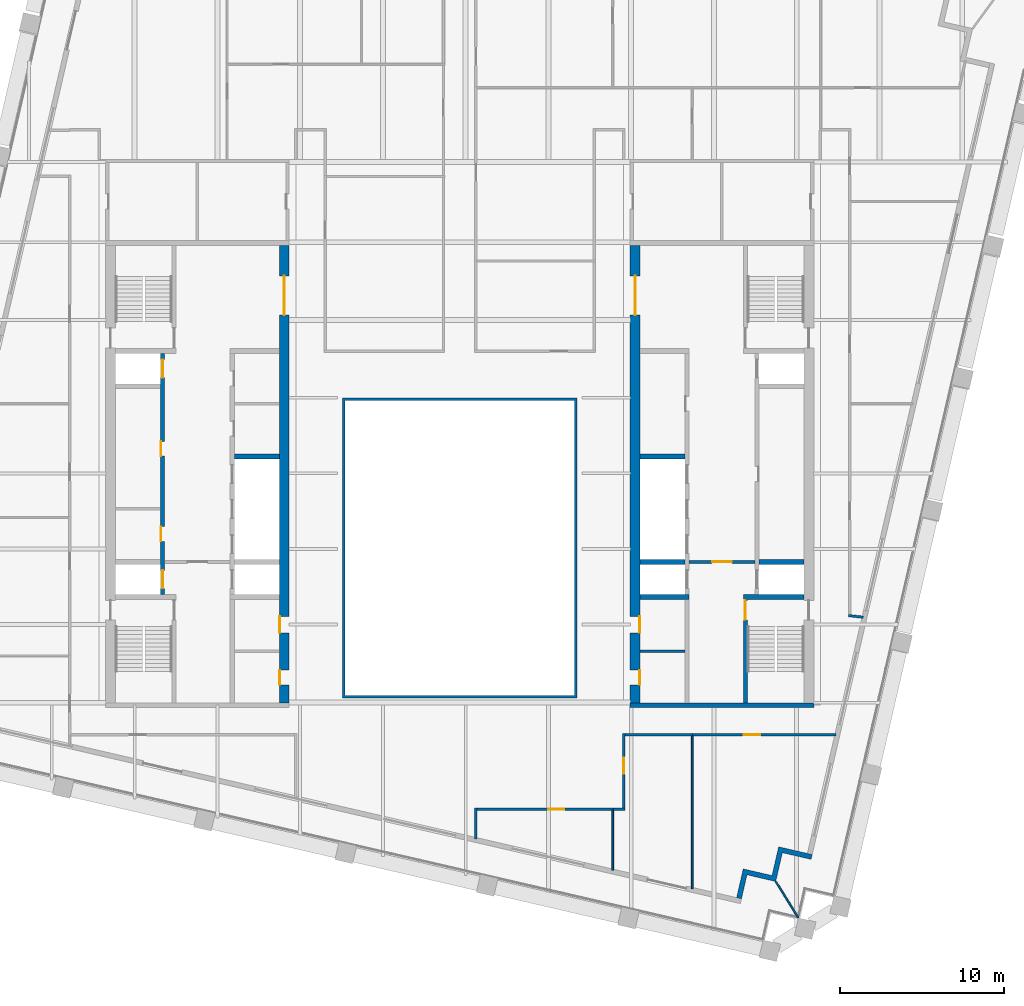
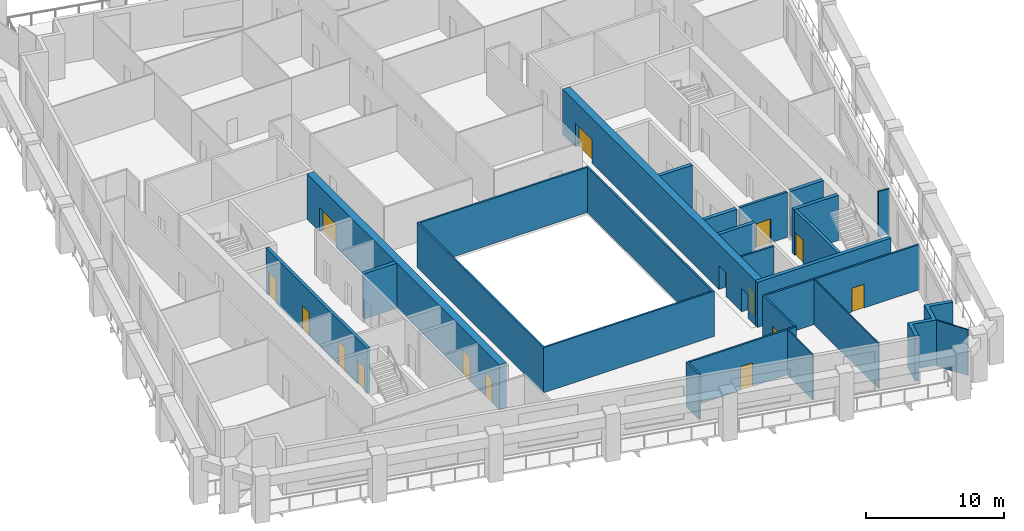
# One storey, part 5 of 10: 25 walls, 15 doors, 15 openings.
"""IFC4 building model written with IfcOpenShell, lengths in metres."""

from ifc_helpers import new_model, si_unit, direction, frame, frame_2d, origin, place, context, subcontext, project, spatial, polyline, rectangle, outline, extrude, material, layer, layer_set, type_object, element, fill, save


model = new_model("IFC4")

# Units and contexts
model_context = context("Model", 3, precision=1e-05, world=origin(), true_north=direction((0.0, 1.0)))
body_context = subcontext(model_context, "Body", "Model", "MODEL_VIEW")
ifc_project = project(units=[si_unit("LENGTHUNIT", "METRE"), si_unit("AREAUNIT", "SQUARE_METRE"), si_unit("VOLUMEUNIT", "CUBIC_METRE"), si_unit("PLANEANGLEUNIT", "RADIAN"), si_unit("MASSUNIT", "GRAM", prefix="KILO")], contexts=[model_context])

# Site, building, storey
site_placement = place(None, origin())
site = spatial("IfcSite", under=ifc_project, at=site_placement, CompositionType="ELEMENT")
building_placement = place(site_placement, origin())
building = spatial("IfcBuilding", under=site, at=building_placement, Name="Ogive Exchange Tower", CompositionType="ELEMENT")
storey_placement = place(building_placement, frame((0.0, 0.0, 272.39990234375)))
storey = spatial("IfcBuildingStorey", under=building, at=storey_placement, Name="L59", CompositionType="ELEMENT", Elevation=272.39990234375)

# Walls
ifc_material_1 = material(Name="Gypsum board partition")
ifc_layer_1 = layer(ifc_material_1, 0.14990234375)
ifc_layer_set_1 = layer_set([ifc_layer_1], Name="Core room partition 150 gypsum")
wall_type_1 = type_object("IfcWallType", Name="Core room partition 150 gypsum", PredefinedType="PARTITIONING", material=ifc_layer_set_1)
wall_1_placement = place(storey_placement, frame((11.0, 0.699951171875, 0.0), z_axis=(0.0, 0.0, 1.0), x_axis=(1.0, 0.0, 0.0)))
element("IfcWall", 1, at=wall_1_placement, inside=storey, type_object=wall_type_1, Name="E south room partition", PredefinedType="PARTITIONING", context=body_context, shape_type="SweptSolid", body=[
    extrude(rectangle(XDim=2.75, YDim=0.14990234375, at=frame_2d((1.375, 0.0))), origin(), (0.0, 0.0, 1.0), 4.0),
])
ifc_material_2 = material(Name="Fire partition EI 60 150")
ifc_layer_2 = layer(ifc_material_2, 0.14990234375)
ifc_layer_set_2 = layer_set([ifc_layer_2], Name="Fire partition EI 60 150")
wall_type_2 = type_object("IfcWallType", Name="Fire partition EI 60 150", PredefinedType="PARTITIONING", material=ifc_layer_set_2)
wall_2_placement = place(storey_placement, frame((0.989990234375, -8.864990234375, 0.0), z_axis=(0.0, 0.0, 1.0), x_axis=(0.0, -1.0, 0.0)))
element("IfcWall", 2, at=wall_2_placement, inside=storey, type_object=wall_type_2, Name="L59-PWL-035", PredefinedType="PARTITIONING", context=body_context, shape_type="SweptSolid", body=[
    extrude(rectangle(XDim=1.887939453125, YDim=0.14990234375, at=frame_2d((0.94384765625, 0.0))), origin(), (0.0, 0.0, 1.0), 4.0),
])

# Wall, opening, door
wall_3_placement = place(storey_placement, frame((9.389892578125, -8.93994140625, 0.0), z_axis=(0.0, 0.0, 1.0), x_axis=(-1.0, 0.0, 0.0)))
wall_3 = element("IfcWall", 3, at=wall_3_placement, inside=storey, type_object=wall_type_2, Name="L59-PWL-045", PredefinedType="PARTITIONING", context=body_context, shape_type="SweptSolid", body=[
    extrude(rectangle(XDim=8.324951171875, YDim=0.14990234375, at=frame_2d((4.16259765625, 0.0))), origin(), (0.0, 0.0, 1.0), 4.0),
])
opening_1_placement = place(wall_3_placement, frame((3.0, 0.0, 0.0)))
opening_1 = element("IfcOpeningElement", 4, at=opening_1_placement, cuts=wall_3, Name="Opening L59-I07", PredefinedType="OPENING", context=body_context, shape_type="SweptSolid", body=[
    extrude(rectangle(XDim=1.0, YDim=2.10009765625, at=frame_2d((0.5, 1.050048828125))), frame((0.0, 0.0849609375, 0.0), z_axis=(0.0, -1.0, 0.0), x_axis=(1.0, 0.0, 0.0)), (0.0, 0.0, 1.0), 0.169921875),
])
ifc_material_3 = material(Name="Fire door FD 30S 1000 x 2100")
door_type_1 = type_object("IfcDoorType", Name="Fire door FD 30S 1000 x 2100", OperationType="NOTDEFINED", PredefinedType="DOOR", material=ifc_material_3)
door_1_placement = place(opening_1_placement, origin())
door_1 = element("IfcDoor", 5, at=door_1_placement, inside=storey, type_object=door_type_1, Name="L59-IDR-007", ObjectType="DT3", OperationType="SINGLE_SWING_RIGHT", OverallHeight=2.10009765625, OverallWidth=1.0, PredefinedType="DOOR", context=body_context, shape_type="SweptSolid", body=[
    extrude(rectangle(XDim=1.0, YDim=2.10009765625, at=frame_2d((0.5, 1.050048828125))), frame((0.0, 0.02490234375, 0.0), z_axis=(0.0, -1.0, 0.0), x_axis=(1.0, 0.0, 0.0)), (0.0, 0.0, 1.0), 0.050048828125),
])
fill(opening_1, door_1)

# Wall
wall_4_placement = place(storey_placement, frame((10.074951171875, -8.93994140625, 0.0), z_axis=(0.0, 0.0, 1.0), x_axis=(-1.0, 0.0, 0.0)))
element("IfcWall", 6, at=wall_4_placement, inside=storey, type_object=wall_type_2, Name="L59-PWL-051", PredefinedType="PARTITIONING", context=body_context, shape_type="SweptSolid", body=[
    extrude(rectangle(XDim=0.68505859375, YDim=0.14990234375, at=frame_2d((0.342529296875, 0.0))), origin(), (0.0, 0.0, 1.0), 4.0),
])

# Wall, opening, door
wall_5_placement = place(storey_placement, frame((10.0, -4.324951171875, 0.0), z_axis=(0.0, 0.0, 1.0), x_axis=(0.0, -1.0, 0.0)))
wall_5 = element("IfcWall", 7, at=wall_5_placement, inside=storey, type_object=wall_type_2, Name="L59-PWL-052", PredefinedType="PARTITIONING", context=body_context, shape_type="SweptSolid", body=[
    extrude(rectangle(XDim=4.5400390625, YDim=0.14990234375, at=frame_2d((2.27001953125, 0.0))), origin(), (0.0, 0.0, 1.0), 4.0),
])
opening_2_placement = place(wall_5_placement, frame((1.465087890625, 0.0, 0.0)))
opening_2 = element("IfcOpeningElement", 8, at=opening_2_placement, cuts=wall_5, Name="Opening L59-I08", PredefinedType="OPENING", context=body_context, shape_type="SweptSolid", body=[
    extrude(rectangle(XDim=1.0, YDim=2.10009765625, at=frame_2d((0.5, 1.050048828125))), frame((0.0, 0.0849609375, 0.0), z_axis=(0.0, -1.0, 0.0), x_axis=(1.0, 0.0, 0.0)), (0.0, 0.0, 1.0), 0.169921875),
])
door_2_placement = place(opening_2_placement, origin())
door_2 = element("IfcDoor", 9, at=door_2_placement, inside=storey, type_object=door_type_1, Name="L59-IDR-008", ObjectType="DT3", OperationType="SINGLE_SWING_RIGHT", OverallHeight=2.10009765625, OverallWidth=1.0, PredefinedType="DOOR", context=body_context, shape_type="SweptSolid", body=[
    extrude(rectangle(XDim=1.0, YDim=2.10009765625, at=frame_2d((0.5, 1.050048828125))), frame((0.0, 0.02490234375, 0.0), z_axis=(0.0, -1.0, 0.0), x_axis=(1.0, 0.0, 0.0)), (0.0, 0.0, 1.0), 0.050048828125),
])
fill(opening_2, door_2)

# Wall
wall_6_placement = place(storey_placement, frame((14.18994140625, -4.39990234375, 0.0), z_axis=(0.0, 0.0, 1.0), x_axis=(-1.0, 0.0, 0.0)))
element("IfcWall", 10, at=wall_6_placement, inside=storey, type_object=wall_type_2, Name="L59-PWL-054", PredefinedType="PARTITIONING", context=body_context, shape_type="SweptSolid", body=[
    extrude(rectangle(XDim=4.114990234375, YDim=0.14990234375, at=frame_2d((2.0576171875, 0.0))), origin(), (0.0, 0.0, 1.0), 4.0),
])

# Wall, opening, door
wall_7_placement = place(storey_placement, frame((22.968017578125, -4.39990234375, 0.0), z_axis=(0.0, 0.0, 1.0), x_axis=(-1.0, 0.0, 0.0)))
wall_7 = element("IfcWall", 11, at=wall_7_placement, inside=storey, type_object=wall_type_2, Name="L59-PWL-064", PredefinedType="PARTITIONING", context=body_context, shape_type="SweptSolid", body=[
    extrude(rectangle(XDim=8.778076171875, YDim=0.14990234375, at=frame_2d((4.38916015625, 0.0))), origin(), (0.0, 0.0, 1.0), 4.0),
])
opening_3_placement = place(wall_7_placement, frame((4.6279296875, 0.0, 0.0)))
opening_3 = element("IfcOpeningElement", 12, at=opening_3_placement, cuts=wall_7, Name="Opening L59-I09", PredefinedType="OPENING", context=body_context, shape_type="SweptSolid", body=[
    extrude(rectangle(XDim=1.0, YDim=2.10009765625, at=frame_2d((0.5, 1.050048828125))), frame((0.0, 0.0849609375, 0.0), z_axis=(0.0, -1.0, 0.0), x_axis=(1.0, 0.0, 0.0)), (0.0, 0.0, 1.0), 0.169921875),
])
door_3_placement = place(opening_3_placement, origin())
door_3 = element("IfcDoor", 13, at=door_3_placement, inside=storey, type_object=door_type_1, Name="L59-IDR-009", ObjectType="DT3", OperationType="SINGLE_SWING_LEFT", OverallHeight=2.10009765625, OverallWidth=1.0, PredefinedType="DOOR", context=body_context, shape_type="SweptSolid", body=[
    extrude(rectangle(XDim=1.0, YDim=2.10009765625, at=frame_2d((0.5, 1.050048828125))), frame((0.0, 0.02490234375, 0.0), z_axis=(0.0, -1.0, 0.0), x_axis=(1.0, 0.0, 0.0)), (0.0, 0.0, 1.0), 0.050048828125),
])
fill(opening_3, door_3)

# Walls
wall_8_placement = place(storey_placement, frame((23.72509765625, 2.868896484375, 0.0), z_axis=(0.0, 0.0, 1.0), x_axis=(0.993330469257, -0.115302119865, 0.0)))
element("IfcWall", 14, at=wall_8_placement, inside=storey, type_object=wall_type_2, Name="L59-PWL-065", PredefinedType="PARTITIONING", context=body_context, shape_type="SweptSolid", body=[
    extrude(rectangle(XDim=0.902099609375, YDim=0.14990234375, at=frame_2d((0.451171875, 0.0))), origin(), (0.0, 0.0, 1.0), 4.0),
])
ifc_material_4 = material(Name="Fire-resisting glass in steel frame", Category="steel")
ifc_layer_3 = layer(ifc_material_4, 0.14990234375)
ifc_layer_set_3 = layer_set([ifc_layer_3], Name="Fire-rated glazed wall 150")
wall_type_3 = type_object("IfcWallType", Name="Fire-rated glazed wall 150", PredefinedType="STANDARD", material=ifc_layer_set_3)
wall_9_placement = place(storey_placement, origin())
element("IfcWall", 15, at=wall_9_placement, inside=storey, type_object=wall_type_3, Name="Nave enclosure wall", PredefinedType="STANDARD", context=body_context, shape_type="SweptSolid", body=[
    extrude(outline(polyline([(-7.14990234375, -2.14990234375), (7.14990234375, -2.14990234375), (7.14990234375, 16.14990234375), (-7.14990234375, 16.14990234375), (-7.14990234375, -2.14990234375)]), holes=[polyline([(-7.0, -2.0), (-7.0, 16.0), (7.0, 16.0), (7.0, -2.0), (-7.0, -2.0)])]), origin(), (0.0, 0.0, 1.0), 4.0),
])
ifc_material_5 = material(Name="Precast concrete C40/50", Category="concrete")
ifc_layer_4 = layer(ifc_material_5, 0.300048828125)
ifc_layer_set_4 = layer_set([ifc_layer_4], Name="Limestone-faced wall 300")
wall_type_4 = type_object("IfcWallType", Name="Limestone-faced wall 300", PredefinedType="STANDARD", material=ifc_layer_set_4)
wall_10_placement = place(storey_placement, origin())
element("IfcWall", 16, at=wall_10_placement, inside=storey, type_object=wall_type_4, Name="External corner wall C1", PredefinedType="STANDARD", context=body_context, shape_type="SweptSolid", body=[
    extrude(outline(polyline([(19.053955078125, -12.993408203125), (19.458740234375, -11.239501953125), (21.5048828125, -11.7119140625), (21.4375, -12.004150390625), (19.68359375, -11.599365234375), (19.27880859375, -13.353271484375), (17.52490234375, -12.9482421875), (17.1875, -14.409912109375), (16.89501953125, -14.34228515625), (17.300048828125, -12.58837890625), (19.053955078125, -12.993408203125)])), origin(), (0.0, 0.0, 1.0), 4.0),
])
ifc_material_6 = material(Name="Laminated safety glass in steel frame", Category="steel")
ifc_layer_5 = layer(ifc_material_6, 0.10009765625)
ifc_layer_set_5 = layer_set([ifc_layer_5], Name="Loggia end screen 100")
wall_type_5 = type_object("IfcWallType", Name="Loggia end screen 100", PredefinedType="STANDARD", material=ifc_layer_set_5)
wall_11_placement = place(storey_placement, frame((19.27880859375, -13.353271484375, -0.0498046875), z_axis=(0.0, 0.0, 1.0), x_axis=(0.529914407191, -0.848051131154, 0.0)))
element("IfcWall", 17, at=wall_11_placement, inside=storey, type_object=wall_type_5, Name="Loggia end screen C1", PredefinedType="STANDARD", context=body_context, shape_type="SweptSolid", body=[
    extrude(rectangle(XDim=2.59619140625, YDim=0.10009765625, at=frame_2d((1.298095703125, 0.0))), origin(), (0.0, 0.0, 1.0), 4.0498046875),
])
ifc_material_7 = material(Name="Partition 100 gypsum")
ifc_layer_6 = layer(ifc_material_7, 0.10009765625)
ifc_layer_set_6 = layer_set([ifc_layer_6], Name="Partition 100 gypsum")
wall_type_6 = type_object("IfcWallType", Name="Partition 100 gypsum", PredefinedType="PARTITIONING", material=ifc_layer_set_6)
wall_12_placement = place(storey_placement, frame((9.340087890625, -9.014892578125, 0.0), z_axis=(0.0, 0.0, 1.0), x_axis=(0.0, -1.0, 0.0)))
element("IfcWall", 18, at=wall_12_placement, inside=storey, type_object=wall_type_6, Name="L59-PWL-046", PredefinedType="PARTITIONING", context=body_context, shape_type="SweptSolid", body=[
    extrude(rectangle(XDim=3.666015625, YDim=0.10009765625, at=frame_2d((1.8330078125, 0.0))), origin(), (0.0, 0.0, 1.0), 4.0),
])
wall_13_placement = place(storey_placement, frame((14.18994140625, -4.47509765625, 0.0), z_axis=(0.0, 0.0, 1.0), x_axis=(0.0, -1.0, 0.0)))
element("IfcWall", 19, at=wall_13_placement, inside=storey, type_object=wall_type_6, Name="L59-PWL-055", PredefinedType="PARTITIONING", context=body_context, shape_type="SweptSolid", body=[
    extrude(rectangle(XDim=9.324951171875, YDim=0.10009765625, at=frame_2d((4.66259765625, 0.0))), origin(), (0.0, 0.0, 1.0), 4.0),
])

# Wall, opening, door
ifc_material_8 = material(Name="Concrete C70/85", Category="concrete")
ifc_layer_7 = layer(ifc_material_8, 0.199951171875)
ifc_layer_set_7 = layer_set([ifc_layer_7], Name="RC core wall 200 C70/85")
wall_type_7 = type_object("IfcWallType", Name="RC core wall 200 C70/85", PredefinedType="SHEAR", material=ifc_layer_set_7)
wall_14_placement = place(storey_placement, frame((14.0, 6.142822265625, 0.0), z_axis=(0.0, 0.0, 1.0), x_axis=(1.0, 0.0, 0.0)))
wall_14 = element("IfcWall", 20, at=wall_14_placement, inside=storey, type_object=wall_type_7, Name="E firefighting lobby wall", PredefinedType="SHEAR", context=body_context, shape_type="SweptSolid", body=[
    extrude(rectangle(XDim=4.0, YDim=0.199951171875, at=frame_2d((2.0, 0.0))), origin(), (0.0, 0.0, 1.0), 4.0),
])
opening_4_placement = place(wall_14_placement, frame((1.39990234375, 0.0, 0.0)))
opening_4 = element("IfcOpeningElement", 21, at=opening_4_placement, cuts=wall_14, Name="Opening L59-C29", PredefinedType="OPENING", context=body_context, shape_type="SweptSolid", body=[
    extrude(rectangle(XDim=1.199951171875, YDim=2.10009765625, at=frame_2d((0.60009765625, 1.050048828125))), frame((0.0, 0.10986328125, 0.0), z_axis=(0.0, -1.0, 0.0), x_axis=(1.0, 0.0, 0.0)), (0.0, 0.0, 1.0), 0.219970703125),
])
ifc_material_9 = material(Name="Steel fire door", Category="steel")
door_type_2 = type_object("IfcDoorType", Name="Firefighting lobby door FD60 1200 x 2100", OperationType="NOTDEFINED", PredefinedType="DOOR", material=ifc_material_9)
door_4_placement = place(opening_4_placement, frame((1.199951171875, 0.0, 0.0), z_axis=(0.0, 0.0, 1.0), x_axis=(-1.0, 0.0, 0.0)))
door_4 = element("IfcDoor", 22, at=door_4_placement, inside=storey, type_object=door_type_2, Name="Firefighting lobby door", ObjectType="CD3", OperationType="SINGLE_SWING_RIGHT", OverallHeight=2.10009765625, OverallWidth=1.199951171875, PredefinedType="DOOR", context=body_context, shape_type="SweptSolid", body=[
    extrude(rectangle(XDim=1.199951171875, YDim=2.10009765625, at=frame_2d((0.60009765625, 1.050048828125))), frame((0.0, 0.02490234375, 0.0), z_axis=(0.0, -1.0, 0.0), x_axis=(1.0, 0.0, 0.0)), (0.0, 0.0, 1.0), 0.050048828125),
])
fill(opening_4, door_4)

# Wall, openings, doors
ifc_layer_8 = layer(ifc_material_8, 0.25)
ifc_layer_set_8 = layer_set([ifc_layer_8], Name="RC core wall 250 C70/85")
wall_type_8 = type_object("IfcWallType", Name="RC core wall 250 C70/85", PredefinedType="SHEAR", material=ifc_layer_set_8)
wall_15_placement = place(storey_placement, frame((-18.125, 4.14990234375, 0.0), z_axis=(0.0, 0.0, 1.0), x_axis=(0.0, 1.0, 0.0)))
wall_15 = element("IfcWall", 23, at=wall_15_placement, inside=storey, type_object=wall_type_8, Name="W row A front wall", PredefinedType="SHEAR", context=body_context, shape_type="SweptSolid", body=[
    extrude(rectangle(XDim=14.7001953125, YDim=0.25, at=frame_2d((7.35009765625, 0.0))), origin(), (0.0, 0.0, 1.0), 4.0),
])
opening_5_placement = place(wall_15_placement, frame((3.246337890625, 0.0, 0.0)))
opening_5 = element("IfcOpeningElement", 24, at=opening_5_placement, cuts=wall_15, Name="Opening L59-C01", PredefinedType="OPENING", context=body_context, shape_type="SweptSolid", body=[
    extrude(rectangle(XDim=0.89990234375, YDim=2.10009765625, at=frame_2d((0.449951171875, 1.050048828125))), frame((0.0, 0.135009765625, 0.0), z_axis=(0.0, -1.0, 0.0), x_axis=(1.0, 0.0, 0.0)), (0.0, 0.0, 1.0), 0.27001953125),
])
opening_6_placement = place(wall_15_placement, frame((8.45361328125, 0.0, 0.0)))
opening_6 = element("IfcOpeningElement", 25, at=opening_6_placement, cuts=wall_15, Name="Opening L59-C02", PredefinedType="OPENING", context=body_context, shape_type="SweptSolid", body=[
    extrude(rectangle(XDim=0.89990234375, YDim=2.10009765625, at=frame_2d((0.449951171875, 1.050048828125))), frame((0.0, 0.135009765625, 0.0), z_axis=(0.0, -1.0, 0.0), x_axis=(1.0, 0.0, 0.0)), (0.0, 0.0, 1.0), 0.27001953125),
])
opening_7_placement = place(wall_15_placement, frame((0.371337890625, 0.0, 0.0)))
opening_7 = element("IfcOpeningElement", 26, at=opening_7_placement, cuts=wall_15, Name="Opening L59-C03", PredefinedType="OPENING", context=body_context, shape_type="SweptSolid", body=[
    extrude(rectangle(XDim=1.10009765625, YDim=2.10009765625, at=frame_2d((0.550048828125, 1.050048828125))), frame((0.0, 0.135009765625, 0.0), z_axis=(0.0, -1.0, 0.0), x_axis=(1.0, 0.0, 0.0)), (0.0, 0.0, 1.0), 0.27001953125),
])
opening_8_placement = place(wall_15_placement, frame((13.228515625, 0.0, 0.0)))
opening_8 = element("IfcOpeningElement", 27, at=opening_8_placement, cuts=wall_15, Name="Opening L59-C04", PredefinedType="OPENING", context=body_context, shape_type="SweptSolid", body=[
    extrude(rectangle(XDim=1.10009765625, YDim=2.10009765625, at=frame_2d((0.550048828125, 1.050048828125))), frame((0.0, 0.135009765625, 0.0), z_axis=(0.0, -1.0, 0.0), x_axis=(1.0, 0.0, 0.0)), (0.0, 0.0, 1.0), 0.27001953125),
])
ifc_material_10 = material(Name="Timber fire door", Category="wood")
door_type_3 = type_object("IfcDoorType", Name="Core room door FD30S 900 x 2100", OperationType="NOTDEFINED", PredefinedType="DOOR", material=ifc_material_10)
door_5_placement = place(opening_6_placement, origin())
door_5 = element("IfcDoor", 28, at=door_5_placement, inside=storey, type_object=door_type_3, Name="Core room door", ObjectType="CD6", OperationType="SINGLE_SWING_LEFT", OverallHeight=2.10009765625, OverallWidth=0.89990234375, PredefinedType="DOOR", context=body_context, shape_type="SweptSolid", body=[
    extrude(rectangle(XDim=0.89990234375, YDim=2.10009765625, at=frame_2d((0.449951171875, 1.050048828125))), frame((0.0, 0.125, 0.0), z_axis=(0.0, -1.0, 0.0), x_axis=(1.0, 0.0, 0.0)), (0.0, 0.0, 1.0), 0.050048828125),
])
fill(opening_6, door_5)
ifc_material_11 = material(Name="Stainless steel", Category="steel")
door_type_4 = type_object("IfcDoorType", Name="Lift landing door FD90 1100 x 2100", OperationType="SLIDING_TO_LEFT", PredefinedType="DOOR", material=ifc_material_11)
door_6_placement = place(opening_7_placement, origin())
door_6 = element("IfcDoor", 29, at=door_6_placement, inside=storey, type_object=door_type_4, Name="Lift landing door FF1", ObjectType="LD", OperationType="SLIDING_TO_LEFT", OverallHeight=2.10009765625, OverallWidth=1.10009765625, PredefinedType="DOOR", context=body_context, shape_type="SweptSolid", body=[
    extrude(rectangle(XDim=1.10009765625, YDim=2.10009765625, at=frame_2d((0.550048828125, 1.050048828125))), frame((0.0, 0.02490234375, 0.0), z_axis=(0.0, -1.0, 0.0), x_axis=(1.0, 0.0, 0.0)), (0.0, 0.0, 1.0), 0.050048828125),
])
fill(opening_7, door_6)
door_7_placement = place(opening_8_placement, origin())
door_7 = element("IfcDoor", 30, at=door_7_placement, inside=storey, type_object=door_type_4, Name="Lift landing door W-SH2", ObjectType="LD", OperationType="SLIDING_TO_LEFT", OverallHeight=2.10009765625, OverallWidth=1.10009765625, PredefinedType="DOOR", context=body_context, shape_type="SweptSolid", body=[
    extrude(rectangle(XDim=1.10009765625, YDim=2.10009765625, at=frame_2d((0.550048828125, 1.050048828125))), frame((0.0, 0.02490234375, 0.0), z_axis=(0.0, -1.0, 0.0), x_axis=(1.0, 0.0, 0.0)), (0.0, 0.0, 1.0), 0.050048828125),
])
fill(opening_8, door_7)
door_type_5 = type_object("IfcDoorType", Name="Riser door FD60 900 x 2100", OperationType="NOTDEFINED", PredefinedType="DOOR", material=ifc_material_9)
door_8_placement = place(opening_5_placement, origin())
door_8 = element("IfcDoor", 31, at=door_8_placement, inside=storey, type_object=door_type_5, Name="Riser door", ObjectType="CD2", OperationType="SINGLE_SWING_LEFT", OverallHeight=2.10009765625, OverallWidth=0.89990234375, PredefinedType="DOOR", context=body_context, shape_type="SweptSolid", body=[
    extrude(rectangle(XDim=0.89990234375, YDim=2.10009765625, at=frame_2d((0.449951171875, 1.050048828125))), frame((0.0, 0.125, 0.0), z_axis=(0.0, -1.0, 0.0), x_axis=(1.0, 0.0, 0.0)), (0.0, 0.0, 1.0), 0.050048828125),
])
fill(opening_5, door_8)

# Wall, opening, door
wall_16_placement = place(storey_placement, frame((17.425048828125, -2.449951171875, 0.0), z_axis=(0.0, 0.0, 1.0), x_axis=(0.0, 1.0, 0.0)))
wall_16 = element("IfcWall", 32, at=wall_16_placement, inside=storey, type_object=wall_type_8, Name="E stair S front wall", PredefinedType="SHEAR", context=body_context, shape_type="SweptSolid", body=[
    extrude(rectangle(XDim=6.300048828125, YDim=0.25, at=frame_2d((3.14990234375, 0.0))), origin(), (0.0, 0.0, 1.0), 4.0),
])
opening_9_placement = place(wall_16_placement, frame((5.050048828125, 0.0, 0.0)))
opening_9 = element("IfcOpeningElement", 33, at=opening_9_placement, cuts=wall_16, Name="Opening L59-C31", PredefinedType="OPENING", context=body_context, shape_type="SweptSolid", body=[
    extrude(rectangle(XDim=1.199951171875, YDim=2.10009765625, at=frame_2d((0.60009765625, 1.050048828125))), frame((0.0, 0.135009765625, 0.0), z_axis=(0.0, -1.0, 0.0), x_axis=(1.0, 0.0, 0.0)), (0.0, 0.0, 1.0), 0.27001953125),
])
door_type_6 = type_object("IfcDoorType", Name="Stair door FD90 1200 x 2100", OperationType="NOTDEFINED", PredefinedType="DOOR", material=ifc_material_9)
door_9_placement = place(opening_9_placement, frame((1.199951171875, 0.0, 0.0), z_axis=(0.0, 0.0, 1.0), x_axis=(-1.0, 0.0, 0.0)))
door_9 = element("IfcDoor", 34, at=door_9_placement, inside=storey, type_object=door_type_6, Name="Stair door", ObjectType="CD5", OperationType="SINGLE_SWING_RIGHT", OverallHeight=2.10009765625, OverallWidth=1.199951171875, PredefinedType="DOOR", context=body_context, shape_type="SweptSolid", body=[
    extrude(rectangle(XDim=1.199951171875, YDim=2.10009765625, at=frame_2d((0.60009765625, 1.050048828125))), frame((0.0, 0.02490234375, 0.0), z_axis=(0.0, -1.0, 0.0), x_axis=(1.0, 0.0, 0.0)), (0.0, 0.0, 1.0), 0.050048828125),
])
fill(opening_9, door_9)

# Walls
ifc_layer_9 = layer(ifc_material_8, 0.300048828125)
ifc_layer_set_9 = layer_set([ifc_layer_9], Name="RC core wall 300 C70/85")
wall_type_9 = type_object("IfcWallType", Name="RC core wall 300 C70/85", PredefinedType="SHEAR", material=ifc_layer_set_9)
wall_17_placement = place(storey_placement, frame((-13.75, 12.5712890625, 0.0), z_axis=(0.0, 0.0, 1.0), x_axis=(1.0, 0.0, 0.0)))
element("IfcWall", 35, at=wall_17_placement, inside=storey, type_object=wall_type_9, Name="W row B divider 4", PredefinedType="SHEAR", context=body_context, shape_type="SweptSolid", body=[
    extrude(rectangle(XDim=2.75, YDim=0.300048828125, at=frame_2d((1.375, 0.0))), origin(), (0.0, 0.0, 1.0), 4.0),
])
wall_18_placement = place(storey_placement, frame((10.39990234375, -2.60009765625, 0.0), z_axis=(0.0, 0.0, 1.0), x_axis=(1.0, 0.0, 0.0)))
element("IfcWall", 36, at=wall_18_placement, inside=storey, type_object=wall_type_9, Name="E south end wall", PredefinedType="SHEAR", context=body_context, shape_type="SweptSolid", body=[
    extrude(rectangle(XDim=11.2001953125, YDim=0.300048828125, at=frame_2d((5.60009765625, 0.0))), origin(), (0.0, 0.0, 1.0), 4.0),
])
wall_19_placement = place(storey_placement, frame((17.300048828125, 4.0, 0.0), z_axis=(0.0, 0.0, 1.0), x_axis=(1.0, 0.0, 0.0)))
element("IfcWall", 37, at=wall_19_placement, inside=storey, type_object=wall_type_9, Name="E stair S north wall", PredefinedType="SHEAR", context=body_context, shape_type="SweptSolid", body=[
    extrude(rectangle(XDim=3.699951171875, YDim=0.300048828125, at=frame_2d((1.85009765625, 0.0))), origin(), (0.0, 0.0, 1.0), 4.0),
])
wall_20_placement = place(storey_placement, frame((18.25, 6.142822265625, 0.0), z_axis=(0.0, 0.0, 1.0), x_axis=(1.0, 0.0, 0.0)))
element("IfcWall", 38, at=wall_20_placement, inside=storey, type_object=wall_type_9, Name="E row A divider 1", PredefinedType="SHEAR", context=body_context, shape_type="SweptSolid", body=[
    extrude(rectangle(XDim=2.75, YDim=0.300048828125, at=frame_2d((1.375, 0.0))), origin(), (0.0, 0.0, 1.0), 4.0),
])
wall_21_placement = place(storey_placement, frame((11.0, 4.0, 0.0), z_axis=(0.0, 0.0, 1.0), x_axis=(1.0, 0.0, 0.0)))
element("IfcWall", 39, at=wall_21_placement, inside=storey, type_object=wall_type_9, Name="E row B divider 0", PredefinedType="SHEAR", context=body_context, shape_type="SweptSolid", body=[
    extrude(rectangle(XDim=3.0, YDim=0.300048828125, at=frame_2d((1.5, 0.0))), origin(), (0.0, 0.0, 1.0), 4.0),
])
for number, where, z_axis, x_axis, name in (
    (40, (11.0, 6.142822265625, 0.0), (0.0, 0.0, 1.0), (1.0, 0.0, 0.0), "E row B divider 1"),
    (41, (11.0, 12.5712890625, 0.0), (0.0, 0.0, 1.0), (1.0, 0.0, 0.0), "E row B divider 4"),
):
    element("IfcWall", number, at=place(storey_placement, frame(where, z_axis=z_axis, x_axis=x_axis)), inside=storey, type_object=wall_type_9, Name=name, PredefinedType="SHEAR", context=body_context, shape_type="SweptSolid", body=[
        extrude(rectangle(XDim=2.75, YDim=0.300048828125, at=frame_2d((1.375, 0.0))), origin(), (0.0, 0.0, 1.0), 4.0),
    ])

# Wall, openings, doors
ifc_layer_10 = layer(ifc_material_8, 0.60009765625)
ifc_layer_set_10 = layer_set([ifc_layer_10], Name="RC core wall 600 C70/85")
wall_type_10 = type_object("IfcWallType", Name="RC core wall 600 C70/85", PredefinedType="SHEAR", material=ifc_layer_set_10)
wall_22_placement = place(storey_placement, frame((-10.699951171875, -2.449951171875, 0.0), z_axis=(0.0, 0.0, 1.0), x_axis=(0.0, 1.0, 0.0)))
wall_22 = element("IfcWall", 42, at=wall_22_placement, inside=storey, type_object=wall_type_10, Name="W inner wall", PredefinedType="SHEAR", context=body_context, shape_type="SweptSolid", body=[
    extrude(rectangle(XDim=27.89990234375, YDim=0.60009765625, at=frame_2d((13.949951171875, 0.0))), origin(), (0.0, 0.0, 1.0), 4.0),
])
opening_10_placement = place(wall_22_placement, frame((23.64990234375, 0.0, 0.0)))
opening_10 = element("IfcOpeningElement", 43, at=opening_10_placement, cuts=wall_22, Name="Opening L59-C12", PredefinedType="OPENING", context=body_context, shape_type="SweptSolid", body=[
    extrude(rectangle(XDim=2.39990234375, YDim=2.10009765625, at=frame_2d((1.199951171875, 1.050048828125))), frame((0.0, 0.31005859375, 0.0), z_axis=(0.0, -1.0, 0.0), x_axis=(1.0, 0.0, 0.0)), (0.0, 0.0, 1.0), 0.6201171875),
])
opening_11_placement = place(wall_22_placement, frame((1.08740234375, 0.0, 0.0)))
opening_11 = element("IfcOpeningElement", 44, at=opening_11_placement, cuts=wall_22, Name="Opening L59-C17", PredefinedType="OPENING", context=body_context, shape_type="SweptSolid", body=[
    extrude(rectangle(XDim=0.89990234375, YDim=2.10009765625, at=frame_2d((0.449951171875, 1.050048828125))), frame((0.0, 0.31005859375, 0.0), z_axis=(0.0, -1.0, 0.0), x_axis=(1.0, 0.0, 0.0)), (0.0, 0.0, 1.0), 0.6201171875),
])
opening_12_placement = place(wall_22_placement, frame((4.262451171875, 0.0, 0.0)))
opening_12 = element("IfcOpeningElement", 45, at=opening_12_placement, cuts=wall_22, Name="Opening L59-C18", PredefinedType="OPENING", context=body_context, shape_type="SweptSolid", body=[
    extrude(rectangle(XDim=1.0, YDim=2.10009765625, at=frame_2d((0.5, 1.050048828125))), frame((0.0, 0.31005859375, 0.0), z_axis=(0.0, -1.0, 0.0), x_axis=(1.0, 0.0, 0.0)), (0.0, 0.0, 1.0), 0.6201171875),
])
door_type_7 = type_object("IfcDoorType", Name="Accessible WC door FD30S 1000 x 2100", OperationType="NOTDEFINED", PredefinedType="DOOR", material=ifc_material_10)
door_10_placement = place(opening_12_placement, frame((1.0, 0.5498046875, 0.0), z_axis=(0.0, 0.0, 1.0), x_axis=(-1.0, 0.0, 0.0)))
door_10 = element("IfcDoor", 46, at=door_10_placement, inside=storey, type_object=door_type_7, Name="Accessible WC door", ObjectType="CD7", OperationType="SINGLE_SWING_LEFT", OverallHeight=2.10009765625, OverallWidth=1.0, PredefinedType="DOOR", context=body_context, shape_type="SweptSolid", body=[
    extrude(rectangle(XDim=1.0, YDim=2.10009765625, at=frame_2d((0.5, 1.050048828125))), frame((0.0, 0.2998046875, 0.0), z_axis=(0.0, -1.0, 0.0), x_axis=(1.0, 0.0, 0.0)), (0.0, 0.0, 1.0), 0.050048828125),
])
fill(opening_12, door_10)
door_11_placement = place(opening_11_placement, frame((0.89990234375, 0.5498046875, 0.0), z_axis=(0.0, 0.0, 1.0), x_axis=(-1.0, 0.0, 0.0)))
door_11 = element("IfcDoor", 47, at=door_11_placement, inside=storey, type_object=door_type_3, Name="Core room door", ObjectType="CD6", OperationType="SINGLE_SWING_LEFT", OverallHeight=2.10009765625, OverallWidth=0.89990234375, PredefinedType="DOOR", context=body_context, shape_type="SweptSolid", body=[
    extrude(rectangle(XDim=0.89990234375, YDim=2.10009765625, at=frame_2d((0.449951171875, 1.050048828125))), frame((0.0, 0.2998046875, 0.0), z_axis=(0.0, -1.0, 0.0), x_axis=(1.0, 0.0, 0.0)), (0.0, 0.0, 1.0), 0.050048828125),
])
fill(opening_11, door_11)
ifc_material_12 = material(Name="Glazed steel fire door", Category="steel")
door_type_8 = type_object("IfcDoorType", Name="Lift lobby double door FD60 2400 x 2100", OperationType="DOUBLE_DOOR_SINGLE_SWING", PredefinedType="DOOR", material=ifc_material_12)
door_12_placement = place(opening_10_placement, frame((2.39990234375, 0.0, 0.0), z_axis=(0.0, 0.0, 1.0), x_axis=(-1.0, 0.0, 0.0)))
door_12 = element("IfcDoor", 48, at=door_12_placement, inside=storey, type_object=door_type_8, Name="Lift lobby double door", ObjectType="CD4", OperationType="DOUBLE_DOOR_SINGLE_SWING", OverallHeight=2.10009765625, OverallWidth=2.39990234375, PredefinedType="DOOR", context=body_context, shape_type="SweptSolid", body=[
    extrude(rectangle(XDim=2.39990234375, YDim=2.10009765625, at=frame_2d((1.199951171875, 1.050048828125))), frame((0.0, 0.02490234375, 0.0), z_axis=(0.0, -1.0, 0.0), x_axis=(1.0, 0.0, 0.0)), (0.0, 0.0, 1.0), 0.050048828125),
])
fill(opening_10, door_12)

wall_23_placement = place(storey_placement, frame((10.699951171875, -2.449951171875, 0.0), z_axis=(0.0, 0.0, 1.0), x_axis=(0.0, 1.0, 0.0)))
wall_23 = element("IfcWall", 49, at=wall_23_placement, inside=storey, type_object=wall_type_10, Name="E inner wall", PredefinedType="SHEAR", context=body_context, shape_type="SweptSolid", body=[
    extrude(rectangle(XDim=27.89990234375, YDim=0.60009765625, at=frame_2d((13.949951171875, 0.0))), origin(), (0.0, 0.0, 1.0), 4.0),
])
opening_13_placement = place(wall_23_placement, frame((23.64990234375, 0.0, 0.0)))
opening_13 = element("IfcOpeningElement", 50, at=opening_13_placement, cuts=wall_23, Name="Opening L59-C30", PredefinedType="OPENING", context=body_context, shape_type="SweptSolid", body=[
    extrude(rectangle(XDim=2.39990234375, YDim=2.10009765625, at=frame_2d((1.199951171875, 1.050048828125))), frame((0.0, 0.31005859375, 0.0), z_axis=(0.0, -1.0, 0.0), x_axis=(1.0, 0.0, 0.0)), (0.0, 0.0, 1.0), 0.6201171875),
])
opening_14_placement = place(wall_23_placement, frame((1.08740234375, 0.0, 0.0)))
opening_14 = element("IfcOpeningElement", 51, at=opening_14_placement, cuts=wall_23, Name="Opening L59-C35", PredefinedType="OPENING", context=body_context, shape_type="SweptSolid", body=[
    extrude(rectangle(XDim=0.89990234375, YDim=2.10009765625, at=frame_2d((0.449951171875, 1.050048828125))), frame((0.0, 0.31005859375, 0.0), z_axis=(0.0, -1.0, 0.0), x_axis=(1.0, 0.0, 0.0)), (0.0, 0.0, 1.0), 0.6201171875),
])
opening_15_placement = place(wall_23_placement, frame((4.262451171875, 0.0, 0.0)))
opening_15 = element("IfcOpeningElement", 52, at=opening_15_placement, cuts=wall_23, Name="Opening L59-C36", PredefinedType="OPENING", context=body_context, shape_type="SweptSolid", body=[
    extrude(rectangle(XDim=1.0, YDim=2.10009765625, at=frame_2d((0.5, 1.050048828125))), frame((0.0, 0.31005859375, 0.0), z_axis=(0.0, -1.0, 0.0), x_axis=(1.0, 0.0, 0.0)), (0.0, 0.0, 1.0), 0.6201171875),
])
door_13_placement = place(opening_15_placement, origin())
door_13 = element("IfcDoor", 53, at=door_13_placement, inside=storey, type_object=door_type_7, Name="Accessible WC door", ObjectType="CD7", OperationType="SINGLE_SWING_LEFT", OverallHeight=2.10009765625, OverallWidth=1.0, PredefinedType="DOOR", context=body_context, shape_type="SweptSolid", body=[
    extrude(rectangle(XDim=1.0, YDim=2.10009765625, at=frame_2d((0.5, 1.050048828125))), frame((0.0, -0.25, 0.0), z_axis=(0.0, -1.0, 0.0), x_axis=(1.0, 0.0, 0.0)), (0.0, 0.0, 1.0), 0.050048828125),
])
fill(opening_15, door_13)
door_14_placement = place(opening_14_placement, origin())
door_14 = element("IfcDoor", 54, at=door_14_placement, inside=storey, type_object=door_type_3, Name="Core room door", ObjectType="CD6", OperationType="SINGLE_SWING_RIGHT", OverallHeight=2.10009765625, OverallWidth=0.89990234375, PredefinedType="DOOR", context=body_context, shape_type="SweptSolid", body=[
    extrude(rectangle(XDim=0.89990234375, YDim=2.10009765625, at=frame_2d((0.449951171875, 1.050048828125))), frame((0.0, -0.25, 0.0), z_axis=(0.0, -1.0, 0.0), x_axis=(1.0, 0.0, 0.0)), (0.0, 0.0, 1.0), 0.050048828125),
])
fill(opening_14, door_14)
door_15_placement = place(opening_13_placement, origin())
door_15 = element("IfcDoor", 55, at=door_15_placement, inside=storey, type_object=door_type_8, Name="Lift lobby double door", ObjectType="CD4", OperationType="DOUBLE_DOOR_SINGLE_SWING", OverallHeight=2.10009765625, OverallWidth=2.39990234375, PredefinedType="DOOR", context=body_context, shape_type="SweptSolid", body=[
    extrude(rectangle(XDim=2.39990234375, YDim=2.10009765625, at=frame_2d((1.199951171875, 1.050048828125))), frame((0.0, 0.02490234375, 0.0), z_axis=(0.0, -1.0, 0.0), x_axis=(1.0, 0.0, 0.0)), (0.0, 0.0, 1.0), 0.050048828125),
])
fill(opening_13, door_15)

save(model, "model.ifc")
